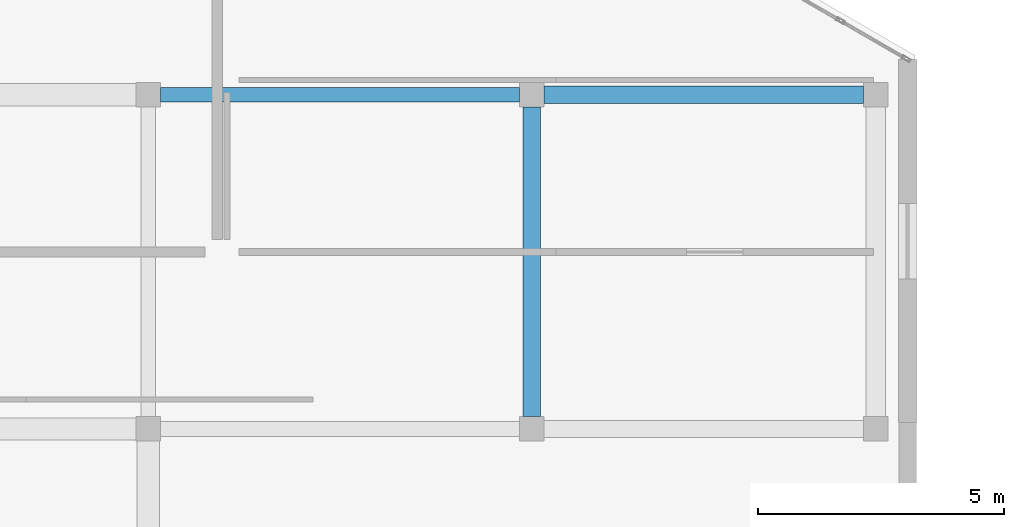
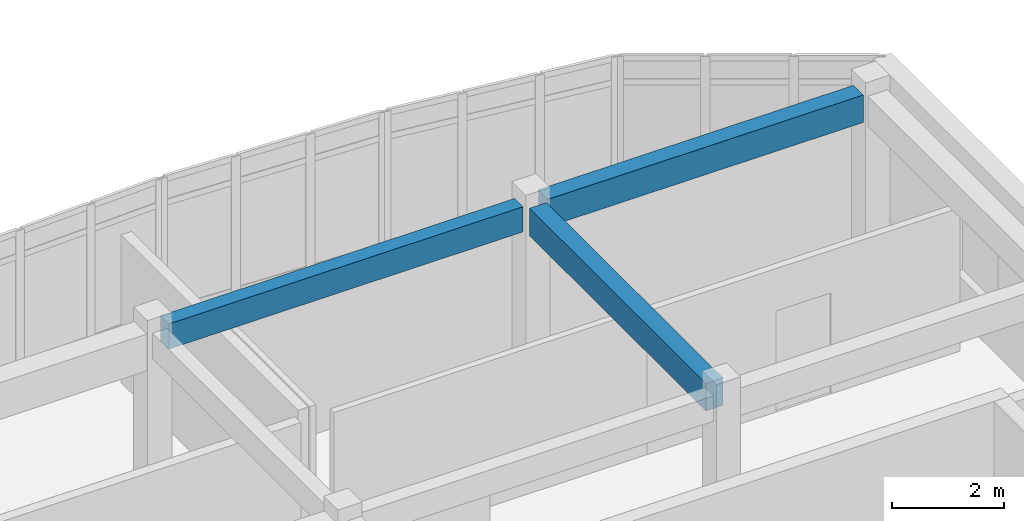
# One storey, part 24 of 52: 3 beams.
"""IFC4 building model written with IfcOpenShell, lengths in metres."""

from ifc_helpers import new_model, si_unit, direction, frame, origin, origin_2d, place, context, subcontext, project, spatial, rectangle, extrude, material, material_profile, profile_set, type_object, element, save


model = new_model("IFC4")

# Units and contexts
model_context = context("Model", 3, precision=1e-05, world=origin(), true_north=direction((0.0, 1.0)))
body_context = subcontext(model_context, "Body", "Model", "MODEL_VIEW")
ifc_project = project(units=[si_unit("LENGTHUNIT", "METRE"), si_unit("AREAUNIT", "SQUARE_METRE"), si_unit("VOLUMEUNIT", "CUBIC_METRE"), si_unit("PLANEANGLEUNIT", "RADIAN"), si_unit("MASSUNIT", "GRAM", prefix="KILO")], contexts=[model_context])

# Site, building, storey
site_placement = place(None, origin())
site = spatial("IfcSite", under=ifc_project, at=site_placement, CompositionType="ELEMENT")
building_placement = place(site_placement, origin())
building = spatial("IfcBuilding", under=site, at=building_placement, Name="Valcora Specialist Clinic", CompositionType="ELEMENT")
storey_placement = place(building_placement, frame((0.0, 0.0, 17.679931640625)))
storey = spatial("IfcBuildingStorey", under=building, at=storey_placement, Name="L04", CompositionType="ELEMENT", Elevation=17.679931640625)

# Beams
ifc_material = material(Name="Concrete C40/50", Category="concrete")
ifc_material_profile_1 = material_profile(ifc_material, rectangle(XDim=0.300048828125, YDim=0.550048828125, at=origin_2d()), Name="RC-BM-300X550")
ifc_profile_set_1 = profile_set([ifc_material_profile_1], Name="Concrete C40/50")
beam_type_1 = type_object("IfcBeamType", Name="TY-BM-RC300X550", PredefinedType="BEAM", material=ifc_profile_set_1)
beam_1_placement = place(storey_placement, frame((84.85009765625, 22.0, 3.5), z_axis=(1.0, 0.0, 0.0), x_axis=(0.0, 1.0, 0.0)))
element("IfcBeam", 1, at=beam_1_placement, inside=storey, type_object=beam_type_1, Name="Beam BM-L04-1483", PredefinedType="BEAM", context=body_context, shape_type="SweptSolid", body=[
    extrude(rectangle(XDim=0.300048828125, YDim=0.550048828125, at=origin_2d()), origin(), (0.0, 0.0, 1.0), 7.2998046875),
])
ifc_material_profile_2 = material_profile(ifc_material, rectangle(XDim=0.35009765625, YDim=0.60009765625, at=origin_2d()), Name="RC-BM-350X600")
ifc_profile_set_2 = profile_set([ifc_material_profile_2], Name="Concrete C40/50")
beam_type_2 = type_object("IfcBeamType", Name="TY-BM-RC350X600", PredefinedType="BEAM", material=ifc_profile_set_2)
beam_2_placement = place(storey_placement, frame((92.64990234375, 22.0, 3.47509765625), z_axis=(1.0, 0.0, 0.0), x_axis=(0.0, 1.0, 0.0)))
element("IfcBeam", 2, at=beam_2_placement, inside=storey, type_object=beam_type_2, Name="Beam BM-L04-1484", PredefinedType="BEAM", context=body_context, shape_type="SweptSolid", body=[
    extrude(rectangle(XDim=0.35009765625, YDim=0.60009765625, at=origin_2d()), origin(), (0.0, 0.0, 1.0), 6.5),
])
beam_3_placement = place(storey_placement, frame((92.39990234375, 15.449951171875, 3.47509765625), z_axis=(0.0, 1.0, 0.0), x_axis=(-1.0, 0.0, 0.0)))
element("IfcBeam", 3, at=beam_3_placement, inside=storey, type_object=beam_type_2, Name="Beam BM-L04-1494", PredefinedType="BEAM", context=body_context, shape_type="SweptSolid", body=[
    extrude(rectangle(XDim=0.35009765625, YDim=0.60009765625, at=origin_2d()), origin(), (0.0, 0.0, 1.0), 6.300048828125),
])

save(model, "model.ifc")
